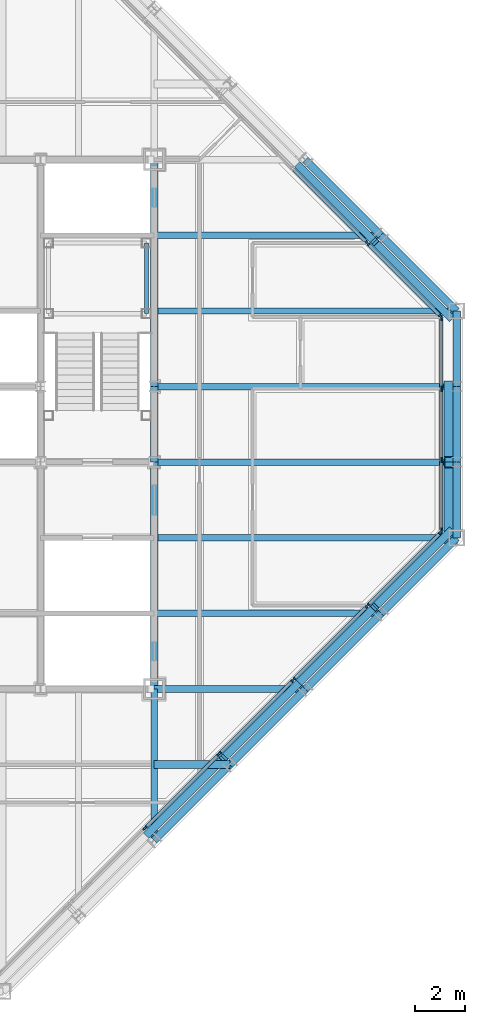
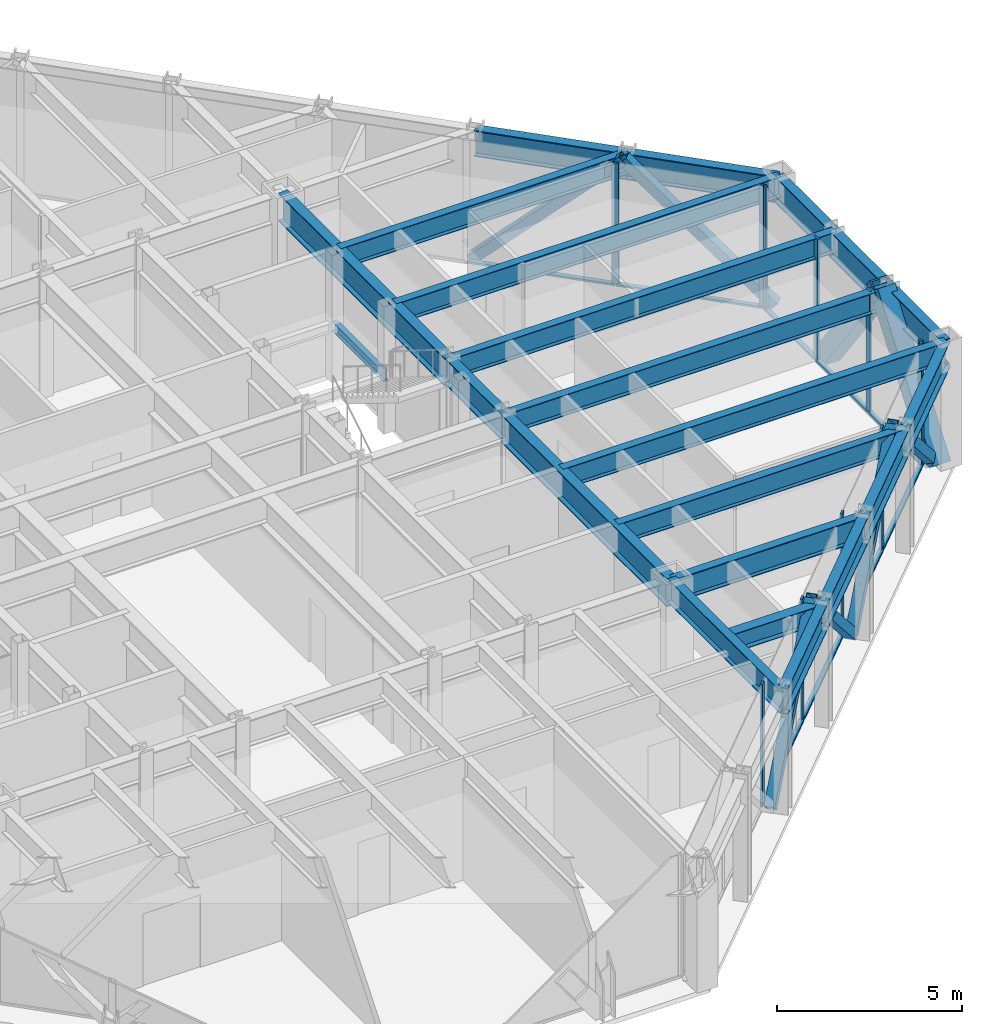
# One storey, part 7 of 15: 28 members, 22 beams, 3 elements without a shape of their own.
"""IFC4 building model written with IfcOpenShell, lengths in metres."""

from ifc_helpers import new_model, si_unit, direction, frame, origin, origin_2d, place, context, subcontext, project, spatial, rectangle, hollow_rectangle, i_section, extrude, material, layer, layer_set, material_profile, profile_set, type_object, element, aggregate, save


model = new_model("IFC4")

# Units and contexts
model_context = context("Model", 3, precision=1e-05, world=origin(), true_north=direction((0.0, 1.0)))
body_context = subcontext(model_context, "Body", "Model", "MODEL_VIEW")
ifc_project = project(units=[si_unit("LENGTHUNIT", "METRE"), si_unit("AREAUNIT", "SQUARE_METRE"), si_unit("VOLUMEUNIT", "CUBIC_METRE"), si_unit("PLANEANGLEUNIT", "RADIAN"), si_unit("MASSUNIT", "GRAM", prefix="KILO")], contexts=[model_context])

# Site, building, storey
site_placement = place(None, origin())
site = spatial("IfcSite", under=ifc_project, at=site_placement, CompositionType="ELEMENT")
building_placement = place(site_placement, origin())
building = spatial("IfcBuilding", under=site, at=building_placement, Name="Chuquiago Exchange Tower", CompositionType="ELEMENT")
storey_placement = place(building_placement, frame((0.0, 0.0, 287.39990234375)))
storey = spatial("IfcBuildingStorey", under=building, at=storey_placement, Name="L64", CompositionType="ELEMENT", Elevation=287.39990234375)

# Beams
ifc_material_1 = material(Name="Steel ASTM A992", Category="steel")
ifc_material_profile_1 = material_profile(ifc_material_1, i_section(OverallWidth=0.25390625, OverallDepth=0.683349609375, WebThickness=0.012451171875, FlangeThickness=0.018798828125, at=origin_2d()), Name="W27X94")
ifc_profile_set_1 = profile_set([ifc_material_profile_1], Name="Steel ASTM A992")
beam_type_1 = type_object("IfcBeamType", Name="B1 W27X94", PredefinedType="BEAM", material=ifc_profile_set_1)
beam_1_placement = place(storey_placement, frame((33.0, 15.0, 3.698486328125), z_axis=(1.0, 0.0, 0.0), x_axis=(0.0, 1.0, 0.0)))
element("IfcBeam", 1, at=beam_1_placement, inside=storey, type_object=beam_type_1, Name="FB-L65-infill-33_15-42_15-0", PredefinedType="BEAM", context=body_context, shape_type="SweptSolid", body=[
    extrude(i_section(OverallWidth=0.25390625, OverallDepth=0.683349609375, WebThickness=0.012451171875, FlangeThickness=0.018798828125, at=origin_2d()), origin(), (0.0, 0.0, 1.0), 9.0),
])
for number, where, z_axis, x_axis, name in (
    (2, (33.0, 18.0, 3.698486328125), (1.0, 0.0, 0.0), (0.0, 1.0, 0.0), "FB-L65-infill-33_18-45_18-0"),
    (3, (33.0, 21.0, 3.698486328125), (1.0, 0.0, 0.0), (0.0, 1.0, 0.0), "FB-L65-infill-33_21-45_21-0"),
    (4, (33.0, 24.0, 3.698486328125), (1.0, 0.0, 0.0), (0.0, 1.0, 0.0), "FB-L65-infill-33_24-45_24-0"),
    (5, (33.0, 27.0, 3.698486328125), (1.0, 0.0, 0.0), (0.0, 1.0, 0.0), "FB-L65-infill-33_27-45_27-0"),
):
    element("IfcBeam", number, at=place(storey_placement, frame(where, z_axis=z_axis, x_axis=x_axis)), inside=storey, type_object=beam_type_1, Name=name, PredefinedType="BEAM", context=body_context, shape_type="SweptSolid", body=[
        extrude(i_section(OverallWidth=0.25390625, OverallDepth=0.683349609375, WebThickness=0.012451171875, FlangeThickness=0.018798828125, at=origin_2d()), origin(), (0.0, 0.0, 1.0), 12.0),
    ])
beam_2_placement = place(storey_placement, frame((33.0, 30.0, 3.698486328125), z_axis=(1.0, 0.0, 0.0), x_axis=(0.0, 1.0, 0.0)))
element("IfcBeam", 6, at=beam_2_placement, inside=storey, type_object=beam_type_1, Name="FB-L65-infill-33_30-42_30-0", PredefinedType="BEAM", context=body_context, shape_type="SweptSolid", body=[
    extrude(i_section(OverallWidth=0.25390625, OverallDepth=0.683349609375, WebThickness=0.012451171875, FlangeThickness=0.018798828125, at=origin_2d()), origin(), (0.0, 0.0, 1.0), 9.0),
])
ifc_material_2 = material(Name="Steel ASTM A992", Category="steel")
ifc_material_profile_2 = material_profile(ifc_material_2, i_section(OverallWidth=0.307373046875, OverallDepth=0.927001953125, WebThickness=0.01953125, FlangeThickness=0.031982421875, at=origin_2d()), Name="W36X194")
ifc_profile_set_2 = profile_set([ifc_material_profile_2], Name="Steel ASTM A992")
beam_type_2 = type_object("IfcBeamType", Name="B10 W36X194", PredefinedType="BEAM", material=ifc_profile_set_2)
for number, where, z_axis, x_axis, name in (
    (7, (33.0, 12.0, 3.576416015625), (0.0, 1.0, 0.0), (-1.0, 0.0, 0.0), "CB-L65-33_12-33_21"),
    (8, (33.0, 24.0, 3.576416015625), (0.0, 1.0, 0.0), (-1.0, 0.0, 0.0), "CB-L65-33_24-33_33"),
):
    element("IfcBeam", number, at=place(storey_placement, frame(where, z_axis=z_axis, x_axis=x_axis)), inside=storey, type_object=beam_type_2, Name=name, PredefinedType="BEAM", context=body_context, shape_type="SweptSolid", body=[
        extrude(i_section(OverallWidth=0.307373046875, OverallDepth=0.927001953125, WebThickness=0.01953125, FlangeThickness=0.031982421875, at=origin_2d()), origin(), (0.0, 0.0, 1.0), 9.0),
    ])
ifc_material_3 = material(Name="Steel ASTM A992", Category="steel")
ifc_material_profile_3 = material_profile(ifc_material_3, i_section(OverallWidth=0.3251953125, OverallDepth=0.612060546875, WebThickness=0.0126953125, FlangeThickness=0.01904296875, at=origin_2d()), Name="W24X104")
ifc_profile_set_3 = profile_set([ifc_material_profile_3], Name="Steel ASTM A992")
beam_type_3 = type_object("IfcBeamType", Name="B2 W24X104", PredefinedType="BEAM", material=ifc_profile_set_3)
beam_3_placement = place(storey_placement, frame((33.0, 9.0, 3.73388671875), z_axis=(1.0, 0.0, 0.0), x_axis=(0.0, 1.0, 0.0)))
element("IfcBeam", 9, at=beam_3_placement, inside=storey, type_object=beam_type_3, Name="FB-L65-corner-33_9-36_9-0", PredefinedType="BEAM", context=body_context, shape_type="SweptSolid", body=[
    extrude(i_section(OverallWidth=0.3251953125, OverallDepth=0.612060546875, WebThickness=0.0126953125, FlangeThickness=0.01904296875, at=origin_2d()), origin(), (0.0, 0.0, 1.0), 3.0),
])
ifc_material_4 = material(Name="Steel ASTM A992", Category="steel")
ifc_material_profile_4 = material_profile(ifc_material_4, i_section(OverallWidth=0.2919921875, OverallDepth=0.8583984375, WebThickness=0.01708984375, FlangeThickness=0.031005859375, at=origin_2d()), Name="W33X169")
ifc_profile_set_4 = profile_set([ifc_material_profile_4], Name="Steel ASTM A992")
beam_type_4 = type_object("IfcBeamType", Name="B3 W33X169", PredefinedType="BEAM", material=ifc_profile_set_4)
beam_4_placement = place(storey_placement, frame((33.0, 21.0, 3.61083984375), z_axis=(0.0, 1.0, 0.0), x_axis=(-1.0, 0.0, 0.0)))
element("IfcBeam", 10, at=beam_4_placement, inside=storey, type_object=beam_type_4, Name="CB-L65-33_21-33_24", PredefinedType="BEAM", context=body_context, shape_type="SweptSolid", body=[
    extrude(i_section(OverallWidth=0.2919921875, OverallDepth=0.8583984375, WebThickness=0.01708984375, FlangeThickness=0.031005859375, at=origin_2d()), origin(), (0.0, 0.0, 1.0), 3.0),
])

# Curtain wall, members
ifc_material_5 = material(Name="Aluminium curtain wall system", Category="aluminium")
ifc_layer_1 = layer(ifc_material_5, 0.22509765625)
ifc_layer_set_1 = layer_set([ifc_layer_1], Name="CW2 office curtain wall")
curtain_wall_type_1 = type_object("IfcCurtainWallType", Name="CW2 office curtain wall", PredefinedType="NOTDEFINED", material=ifc_layer_set_1)
curtain_wall_1_placement = place(storey_placement, origin())
curtain_wall_1 = element("IfcCurtainWall", 11, at=curtain_wall_1_placement, inside=storey, type_object=curtain_wall_type_1, Name="CW2 curtain wall L64", PredefinedType="NOTDEFINED")
ifc_material_6 = material(Name="Aluminium mullion, pale anodised", Category="aluminium")
ifc_material_profile_5 = material_profile(ifc_material_6, rectangle(XDim=0.06494140625, YDim=0.22509765625, at=origin_2d()), Name="AL 65x225")
ifc_profile_set_5 = profile_set([ifc_material_profile_5], Name="Aluminium mullion, pale anodised")
member_type_1 = type_object("IfcMemberType", Name="CW2-M mullion 65x225", PredefinedType="MULLION", material=ifc_profile_set_5)
member_1_placement = place(storey_placement, frame((44.39990234375, 18.281005859375, 0.0), z_axis=(0.0, 0.0, 1.0), x_axis=(-1.0, 0.0, 0.0)))
member_1 = element("IfcMember", 12, at=member_1_placement, type_object=member_type_1, Name="CW2 mullion 1", PredefinedType="MULLION", context=body_context, shape_type="SweptSolid", body=[
    extrude(rectangle(XDim=0.06494140625, YDim=0.22509765625, at=origin_2d()), origin(), (0.0, 0.0, 1.0), 4.0400390625),
])
member_2_placement = place(storey_placement, frame((44.39990234375, 21.082763671875, 0.0), z_axis=(0.0, 0.0, 1.0), x_axis=(-1.0, 0.0, 0.0)))
member_2 = element("IfcMember", 13, at=member_2_placement, type_object=member_type_1, Name="CW2 mullion 2", PredefinedType="MULLION", context=body_context, shape_type="SweptSolid", body=[
    extrude(rectangle(XDim=0.06494140625, YDim=0.22509765625, at=origin_2d()), origin(), (0.0, 0.0, 1.0), 4.0400390625),
])
member_3_placement = place(storey_placement, frame((44.39990234375, 23.917236328125, 0.0), z_axis=(0.0, 0.0, 1.0), x_axis=(-1.0, 0.0, 0.0)))
member_3 = element("IfcMember", 14, at=member_3_placement, type_object=member_type_1, Name="CW2 mullion 3", PredefinedType="MULLION", context=body_context, shape_type="SweptSolid", body=[
    extrude(rectangle(XDim=0.06494140625, YDim=0.22509765625, at=origin_2d()), origin(), (0.0, 0.0, 1.0), 4.0400390625),
])
member_4_placement = place(storey_placement, frame((44.39990234375, 26.718994140625, 0.0), z_axis=(0.0, 0.0, 1.0), x_axis=(-1.0, 0.0, 0.0)))
member_4 = element("IfcMember", 15, at=member_4_placement, type_object=member_type_1, Name="CW2 mullion 4", PredefinedType="MULLION", context=body_context, shape_type="SweptSolid", body=[
    extrude(rectangle(XDim=0.06494140625, YDim=0.22509765625, at=origin_2d()), origin(), (0.0, 0.0, 1.0), 4.0400390625),
])
ifc_material_7 = material(Name="Aluminium transom, pale anodised", Category="aluminium")
ifc_material_profile_6 = material_profile(ifc_material_7, rectangle(XDim=0.139892578125, YDim=0.06494140625, at=origin_2d()), Name="AL 140x65")
ifc_profile_set_6 = profile_set([ifc_material_profile_6], Name="Aluminium transom, pale anodised")
member_type_2 = type_object("IfcMemberType", Name="CW2-T transom 65x140", PredefinedType="MULLION", material=ifc_profile_set_6)
member_5_placement = place(storey_placement, frame((44.39990234375, 18.3134765625, 0.03271484375), z_axis=(0.0, 1.0, 0.0), x_axis=(-1.0, 0.0, 0.0)))
member_5 = element("IfcMember", 16, at=member_5_placement, type_object=member_type_2, Name="CW2 transom 1.1", PredefinedType="MULLION", context=body_context, shape_type="SweptSolid", body=[
    extrude(rectangle(XDim=0.139892578125, YDim=0.06494140625, at=origin_2d()), origin(), (0.0, 0.0, 1.0), 2.73681640625),
])
member_6_placement = place(storey_placement, frame((44.39990234375, 21.115234375, 0.03271484375), z_axis=(0.0, 1.0, 0.0), x_axis=(-1.0, 0.0, 0.0)))
member_6 = element("IfcMember", 17, at=member_6_placement, type_object=member_type_2, Name="CW2 transom 2.1", PredefinedType="MULLION", context=body_context, shape_type="SweptSolid", body=[
    extrude(rectangle(XDim=0.139892578125, YDim=0.06494140625, at=origin_2d()), origin(), (0.0, 0.0, 1.0), 2.76953125),
])
member_7_placement = place(storey_placement, frame((44.39990234375, 23.94970703125, 0.03271484375), z_axis=(0.0, 1.0, 0.0), x_axis=(-1.0, 0.0, 0.0)))
member_7 = element("IfcMember", 18, at=member_7_placement, type_object=member_type_2, Name="CW2 transom 3.1", PredefinedType="MULLION", context=body_context, shape_type="SweptSolid", body=[
    extrude(rectangle(XDim=0.139892578125, YDim=0.06494140625, at=origin_2d()), origin(), (0.0, 0.0, 1.0), 2.73681640625),
])
aggregate(curtain_wall_1, [member_1, member_2, member_3, member_4, member_5, member_6, member_7])

ifc_material_8 = material(Name="Aluminium curtain wall system", Category="aluminium")
ifc_layer_2 = layer(ifc_material_8, 0.199951171875)
ifc_layer_set_2 = layer_set([ifc_layer_2], Name="CW3 facet curtain wall")
curtain_wall_type_2 = type_object("IfcCurtainWallType", Name="CW3 facet curtain wall", PredefinedType="NOTDEFINED", material=ifc_layer_set_2)
curtain_wall_2_placement = place(storey_placement, origin())
curtain_wall_2 = element("IfcCurtainWall", 19, at=curtain_wall_2_placement, inside=storey, type_object=curtain_wall_type_2, Name="CW3 curtain wall L64", PredefinedType="NOTDEFINED")
ifc_material_9 = material(Name="Aluminium mullion, pale anodised", Category="aluminium")
ifc_material_profile_7 = material_profile(ifc_material_9, rectangle(XDim=0.06494140625, YDim=0.199951171875, at=origin_2d()), Name="AL 65x200")
ifc_profile_set_7 = profile_set([ifc_material_profile_7], Name="Aluminium mullion, pale anodised")
member_type_3 = type_object("IfcMemberType", Name="CW3-M mullion 65x200", PredefinedType="MULLION", material=ifc_profile_set_7)
member_8_placement = place(storey_placement, frame((32.63427734375, 6.48291015625, 0.0), z_axis=(0.0, 0.0, 1.0), x_axis=(-0.707106781187, 0.707106781187, 0.0)))
member_8 = element("IfcMember", 20, at=member_8_placement, type_object=member_type_3, Name="CW3 mullion 3", PredefinedType="MULLION", context=body_context, shape_type="SweptSolid", body=[
    extrude(rectangle(XDim=0.06494140625, YDim=0.199951171875, at=origin_2d()), origin(), (0.0, 0.0, 1.0), 4.0400390625),
])
member_9_placement = place(storey_placement, frame((35.57568359375, 9.42431640625, 0.0), z_axis=(0.0, 0.0, 1.0), x_axis=(-0.707106781187, 0.707106781187, 0.0)))
member_9 = element("IfcMember", 21, at=member_9_placement, type_object=member_type_3, Name="CW3 mullion 4", PredefinedType="MULLION", context=body_context, shape_type="SweptSolid", body=[
    extrude(rectangle(XDim=0.06494140625, YDim=0.199951171875, at=origin_2d()), origin(), (0.0, 0.0, 1.0), 4.0400390625),
])
member_10_placement = place(storey_placement, frame((38.51708984375, 12.36572265625, 0.0), z_axis=(0.0, 0.0, 1.0), x_axis=(-0.707106781187, 0.707106781187, 0.0)))
member_10 = element("IfcMember", 22, at=member_10_placement, type_object=member_type_3, Name="CW3 mullion 5", PredefinedType="MULLION", context=body_context, shape_type="SweptSolid", body=[
    extrude(rectangle(XDim=0.06494140625, YDim=0.199951171875, at=origin_2d()), origin(), (0.0, 0.0, 1.0), 4.0400390625),
])
member_11_placement = place(storey_placement, frame((41.45849609375, 15.30712890625, 0.0), z_axis=(0.0, 0.0, 1.0), x_axis=(-0.707106781187, 0.707106781187, 0.0)))
member_11 = element("IfcMember", 23, at=member_11_placement, type_object=member_type_3, Name="CW3 mullion 6", PredefinedType="MULLION", context=body_context, shape_type="SweptSolid", body=[
    extrude(rectangle(XDim=0.06494140625, YDim=0.199951171875, at=origin_2d()), origin(), (0.0, 0.0, 1.0), 4.0400390625),
])
member_12_placement = place(storey_placement, frame((44.376953125, 18.2255859375, 0.0), z_axis=(0.0, 0.0, 1.0), x_axis=(-0.707106781187, 0.707106781187, 0.0)))
member_12 = element("IfcMember", 24, at=member_12_placement, type_object=member_type_3, Name="CW3 mullion 7", PredefinedType="MULLION", context=body_context, shape_type="SweptSolid", body=[
    extrude(rectangle(XDim=0.06494140625, YDim=0.199951171875, at=origin_2d()), origin(), (0.0, 0.0, 1.0), 4.0400390625),
])

curtain_wall_3_placement = place(storey_placement, origin())
curtain_wall_3 = element("IfcCurtainWall", 25, at=curtain_wall_3_placement, inside=storey, type_object=curtain_wall_type_2, Name="CW3 curtain wall L64", PredefinedType="NOTDEFINED")
member_13_placement = place(storey_placement, frame((44.376953125, 26.7744140625, 0.0), z_axis=(0.0, 0.0, 1.0), x_axis=(-0.707106781187, -0.707106781187, 0.0)))
member_13 = element("IfcMember", 26, at=member_13_placement, type_object=member_type_3, Name="CW3 mullion 1", PredefinedType="MULLION", context=body_context, shape_type="SweptSolid", body=[
    extrude(rectangle(XDim=0.06494140625, YDim=0.199951171875, at=origin_2d()), origin(), (0.0, 0.0, 1.0), 4.0400390625),
])
member_14_placement = place(storey_placement, frame((41.45849609375, 29.69287109375, 0.0), z_axis=(0.0, 0.0, 1.0), x_axis=(-0.707106781187, -0.707106781187, 0.0)))
member_14 = element("IfcMember", 27, at=member_14_placement, type_object=member_type_3, Name="CW3 mullion 2", PredefinedType="MULLION", context=body_context, shape_type="SweptSolid", body=[
    extrude(rectangle(XDim=0.06494140625, YDim=0.199951171875, at=origin_2d()), origin(), (0.0, 0.0, 1.0), 4.0400390625),
])

# Member
ifc_material_10 = material(Name="Aluminium transom, pale anodised", Category="aluminium")
ifc_material_profile_8 = material_profile(ifc_material_10, rectangle(XDim=0.139892578125, YDim=0.06494140625, at=origin_2d()), Name="AL 140x65")
ifc_profile_set_8 = profile_set([ifc_material_profile_8], Name="Aluminium transom, pale anodised")
member_type_4 = type_object("IfcMemberType", Name="CW3-T transom 65x140", PredefinedType="MULLION", material=ifc_profile_set_8)
member_15_placement = place(storey_placement, frame((32.6572265625, 6.505859375, 0.03271484375), z_axis=(0.707106781187, 0.707106781187, 0.0), x_axis=(-0.707106781187, 0.707106781187, 0.0)))
member_15 = element("IfcMember", 28, at=member_15_placement, type_object=member_type_4, Name="CW3 transom 3.1", PredefinedType="MULLION", context=body_context, shape_type="SweptSolid", body=[
    extrude(rectangle(XDim=0.139892578125, YDim=0.06494140625, at=origin_2d()), origin(), (0.0, 0.0, 1.0), 4.094970703125),
])

member_16_placement = place(storey_placement, frame((35.5986328125, 9.447265625, 0.03271484375), z_axis=(0.707106781187, 0.707106781187, 0.0), x_axis=(-0.707106781187, 0.707106781187, 0.0)))
member_16 = element("IfcMember", 29, at=member_16_placement, type_object=member_type_4, Name="CW3 transom 4.1", PredefinedType="MULLION", context=body_context, shape_type="SweptSolid", body=[
    extrude(rectangle(XDim=0.139892578125, YDim=0.06494140625, at=origin_2d()), origin(), (0.0, 0.0, 1.0), 4.094970703125),
])

member_17_placement = place(storey_placement, frame((38.5400390625, 12.388671875, 0.03271484375), z_axis=(0.707106781187, 0.707106781187, 0.0), x_axis=(-0.707106781187, 0.707106781187, 0.0)))
member_17 = element("IfcMember", 30, at=member_17_placement, type_object=member_type_4, Name="CW3 transom 5.1", PredefinedType="MULLION", context=body_context, shape_type="SweptSolid", body=[
    extrude(rectangle(XDim=0.139892578125, YDim=0.06494140625, at=origin_2d()), origin(), (0.0, 0.0, 1.0), 4.094970703125),
])

member_18_placement = place(storey_placement, frame((41.4814453125, 15.330078125, 0.03271484375), z_axis=(0.707106781187, 0.707106781187, 0.0), x_axis=(-0.707106781187, 0.707106781187, 0.0)))
member_18 = element("IfcMember", 31, at=member_18_placement, type_object=member_type_4, Name="CW3 transom 6.1", PredefinedType="MULLION", context=body_context, shape_type="SweptSolid", body=[
    extrude(rectangle(XDim=0.139892578125, YDim=0.06494140625, at=origin_2d()), origin(), (0.0, 0.0, 1.0), 4.0625),
])

aggregate(curtain_wall_2, [member_8, member_9, member_10, member_11, member_12, member_15, member_16, member_17, member_18])

member_19_placement = place(storey_placement, frame((44.35400390625, 26.79736328125, 0.03271484375), z_axis=(-0.707106781187, 0.707106781187, 0.0), x_axis=(-0.707106781187, -0.707106781187, 0.0)))
member_19 = element("IfcMember", 32, at=member_19_placement, type_object=member_type_4, Name="CW3 transom 1.1", PredefinedType="MULLION", context=body_context, shape_type="SweptSolid", body=[
    extrude(rectangle(XDim=0.139892578125, YDim=0.06494140625, at=origin_2d()), origin(), (0.0, 0.0, 1.0), 4.0625),
])

member_20_placement = place(storey_placement, frame((41.435546875, 29.7158203125, 0.03271484375), z_axis=(-0.707106781187, 0.707106781187, 0.0), x_axis=(-0.707106781187, -0.707106781187, 0.0)))
member_20 = element("IfcMember", 33, at=member_20_placement, type_object=member_type_4, Name="CW3 transom 2.1", PredefinedType="MULLION", context=body_context, shape_type="SweptSolid", body=[
    extrude(rectangle(XDim=0.139892578125, YDim=0.06494140625, at=origin_2d()), origin(), (0.0, 0.0, 1.0), 4.094970703125),
])

aggregate(curtain_wall_3, [member_13, member_14, member_19, member_20])

# Beams
ifc_material_11 = material(Name="Steel ASTM A992", Category="steel")
ifc_material_profile_9 = material_profile(ifc_material_11, i_section(OverallWidth=0.2666015625, OverallDepth=0.76953125, WebThickness=0.015625, FlangeThickness=0.025390625, at=origin_2d()), Name="W30X132")
ifc_profile_set_9 = profile_set([ifc_material_profile_9], Name="Steel ASTM A992")
beam_type_5 = type_object("IfcBeamType", Name="G1 W30X132", PredefinedType="BEAM", material=ifc_profile_set_9)
for number, where, z_axis, x_axis, name in (
    (34, (33.0, 12.0, 3.6552734375), (0.0, -1.0, 0.0), (1.0, 0.0, 0.0), "FB-L65-girder-33_12-33_6-0"),
    (35, (33.0, 12.0, 3.6552734375), (1.0, 0.0, 0.0), (0.0, 1.0, 0.0), "FB-L65-girder-33_12-39_12-0"),
):
    element("IfcBeam", number, at=place(storey_placement, frame(where, z_axis=z_axis, x_axis=x_axis)), inside=storey, type_object=beam_type_5, Name=name, PredefinedType="BEAM", context=body_context, shape_type="SweptSolid", body=[
        extrude(i_section(OverallWidth=0.2666015625, OverallDepth=0.76953125, WebThickness=0.015625, FlangeThickness=0.025390625, at=origin_2d()), origin(), (0.0, 0.0, 1.0), 6.0),
    ])

# Members
ifc_material_12 = material(Name="Steel ASTM A500 Grade C", Category="steel")
ifc_material_profile_10 = material_profile(ifc_material_12, hollow_rectangle(XDim=0.3046875, YDim=0.3046875, WallThickness=0.0146484375, at=origin_2d()), Name="HSS12X12X5/8")
ifc_profile_set_10 = profile_set([ifc_material_profile_10], Name="Steel ASTM A500 Grade C")
member_type_5 = type_object("IfcMemberType", Name="LB3 HSS12X12X5/8", PredefinedType="BRACE", material=ifc_profile_set_10)
for number, where, z_axis, x_axis, name in (
    (36, (32.750732421875, 6.249267578125, 0.0), (0.512077265487, 0.512077265487, 0.689604051861), (-0.707106781187, 0.707106781187, 0.0), "LB-L64-33_6-36_9"),
    (37, (38.750732421875, 12.249267578125, 0.0), (-0.512077265487, -0.512077265487, 0.689604051861), (0.707106781187, -0.707106781187, 0.0), "LB-L64-36_9-39_12"),
    (38, (38.750732421875, 12.249267578125, 0.0), (0.512077265487, 0.512077265487, 0.689604051861), (-0.707106781187, 0.707106781187, 0.0), "LB-L64-39_12-42_15"),
    (39, (44.750732421875, 18.249267578125, 0.0), (-0.512077265487, -0.512077265487, 0.689604051861), (0.707106781187, -0.707106781187, 0.0), "LB-L64-42_15-45_18"),
    (40, (44.750732421875, 26.750732421875, 0.0), (-0.512077265487, 0.512077265487, 0.689604051861), (-0.707106781187, -0.707106781187, 0.0), "LB-L64-45_27-42_30"),
    (41, (38.750732421875, 32.750732421875, 0.0), (0.512077265487, -0.512077265487, 0.689604051861), (0.707106781187, 0.707106781187, 0.0), "LB-L64-42_30-39_33"),
):
    element("IfcMember", number, at=place(storey_placement, frame(where, z_axis=z_axis, x_axis=x_axis)), inside=storey, type_object=member_type_5, Name=name, PredefinedType="BRACE", context=body_context, shape_type="SweptSolid", body=[
        extrude(hollow_rectangle(XDim=0.3046875, YDim=0.3046875, WallThickness=0.0146484375, at=origin_2d()), origin(), (0.0, 0.0, 1.0), 5.8583984375),
    ])

# Beam
ifc_material_13 = material(Name="Steel ASTM A992", Category="steel")
ifc_material_profile_11 = material_profile(ifc_material_13, i_section(OverallWidth=0.164794921875, OverallDepth=0.309814453125, WebThickness=0.005859375, FlangeThickness=0.009765625, at=origin_2d()), Name="W12X26")
ifc_profile_set_11 = profile_set([ifc_material_profile_11], Name="Steel ASTM A992")
beam_type_6 = type_object("IfcBeamType", Name="LS1 W12X26", PredefinedType="BEAM", material=ifc_profile_set_11)
beam_5_placement = place(storey_placement, frame((32.68994140625, 26.889892578125, 1.7451171875), z_axis=(0.0, 1.0, 0.0), x_axis=(-1.0, 0.0, 0.0)))
element("IfcBeam", 42, at=beam_5_placement, inside=storey, type_object=beam_type_6, Name="Stair ST2 L64 landing 1 stringer", PredefinedType="BEAM", context=body_context, shape_type="SweptSolid", body=[
    extrude(i_section(OverallWidth=0.164794921875, OverallDepth=0.309814453125, WebThickness=0.005859375, FlangeThickness=0.009765625, at=origin_2d()), origin(), (0.0, 0.0, 1.0), 2.800048828125),
])

# Members
ifc_material_14 = material(Name="Steel ASTM A572 Grade 50", Category="steel")
ifc_material_profile_12 = material_profile(ifc_material_14, hollow_rectangle(XDim=0.550048828125, YDim=0.550048828125, WallThickness=0.044921875, at=origin_2d()), Name="BOX550X550X45")
ifc_profile_set_12 = profile_set([ifc_material_profile_12], Name="Steel ASTM A572 Grade 50")
member_type_6 = type_object("IfcMemberType", Name="MB4 BOX550X550X45", PredefinedType="BRACE", material=ifc_profile_set_12)
for number, where, z_axis, x_axis, name in (
    (43, (44.77001953125, 18.0, 0.0), (0.0, 0.596173923302, 0.802855312728), (-1.0, 0.0, 0.0), "Mega diagonal L64 E face"),
    (44, (44.77001953125, 24.0, 0.0), (0.0, -0.596173923302, 0.802855312728), (1.0, 0.0, 0.0), "Mega diagonal L64 E face"),
):
    element("IfcMember", number, at=place(storey_placement, frame(where, z_axis=z_axis, x_axis=x_axis)), inside=storey, type_object=member_type_6, Name=name, PredefinedType="BRACE", context=body_context, shape_type="SweptSolid", body=[
        extrude(hollow_rectangle(XDim=0.550048828125, YDim=0.550048828125, WallThickness=0.044921875, at=origin_2d()), origin(), (0.0, 0.0, 1.0), 5.031982421875),
    ])

# Beams
ifc_material_15 = material(Name="Steel ASTM A992", Category="steel")
ifc_material_profile_13 = material_profile(ifc_material_15, i_section(OverallWidth=0.2919921875, OverallDepth=0.8583984375, WebThickness=0.01708984375, FlangeThickness=0.031005859375, at=origin_2d()), Name="W33X169")
ifc_profile_set_13 = profile_set([ifc_material_profile_13], Name="Steel ASTM A992")
beam_type_7 = type_object("IfcBeamType", Name="SP4 W33X169", PredefinedType="SPANDREL", material=ifc_profile_set_13)
for number, where, z_axis, x_axis, name in (
    (45, (33.0, 6.0, 3.61083984375), (0.707106781187, 0.707106781187, 0.0), (-0.707106781187, 0.707106781187, 0.0), "SPB-L65-33_6-36_9"),
    (46, (36.0, 9.0, 3.61083984375), (0.707106781187, 0.707106781187, 0.0), (-0.707106781187, 0.707106781187, 0.0), "SPB-L65-36_9-39_12"),
    (47, (39.0, 12.0, 3.61083984375), (0.707106781187, 0.707106781187, 0.0), (-0.707106781187, 0.707106781187, 0.0), "SPB-L65-39_12-42_15"),
    (48, (42.0, 15.0, 3.61083984375), (0.707106781187, 0.707106781187, 0.0), (-0.707106781187, 0.707106781187, 0.0), "SPB-L65-42_15-45_18"),
):
    element("IfcBeam", number, at=place(storey_placement, frame(where, z_axis=z_axis, x_axis=x_axis)), inside=storey, type_object=beam_type_7, Name=name, PredefinedType="SPANDREL", context=body_context, shape_type="SweptSolid", body=[
        extrude(i_section(OverallWidth=0.2919921875, OverallDepth=0.8583984375, WebThickness=0.01708984375, FlangeThickness=0.031005859375, at=origin_2d()), origin(), (0.0, 0.0, 1.0), 4.24267578125),
    ])
for number, where, z_axis, x_axis, name in (
    (49, (45.0, 18.0, 3.61083984375), (0.0, 1.0, 0.0), (-1.0, 0.0, 0.0), "SPB-L65-45_18-45_21"),
    (50, (45.0, 21.0, 3.61083984375), (0.0, 1.0, 0.0), (-1.0, 0.0, 0.0), "SPB-L65-45_21-45_24"),
    (51, (45.0, 24.0, 3.61083984375), (0.0, 1.0, 0.0), (-1.0, 0.0, 0.0), "SPB-L65-45_24-45_27"),
):
    element("IfcBeam", number, at=place(storey_placement, frame(where, z_axis=z_axis, x_axis=x_axis)), inside=storey, type_object=beam_type_7, Name=name, PredefinedType="SPANDREL", context=body_context, shape_type="SweptSolid", body=[
        extrude(i_section(OverallWidth=0.2919921875, OverallDepth=0.8583984375, WebThickness=0.01708984375, FlangeThickness=0.031005859375, at=origin_2d()), origin(), (0.0, 0.0, 1.0), 3.0),
    ])
for number, where, z_axis, x_axis, name in (
    (52, (45.0, 27.0, 3.61083984375), (-0.707106781187, 0.707106781187, 0.0), (-0.707106781187, -0.707106781187, 0.0), "SPB-L65-45_27-42_30"),
    (53, (42.0, 30.0, 3.61083984375), (-0.707106781187, 0.707106781187, 0.0), (-0.707106781187, -0.707106781187, 0.0), "SPB-L65-42_30-39_33"),
):
    element("IfcBeam", number, at=place(storey_placement, frame(where, z_axis=z_axis, x_axis=x_axis)), inside=storey, type_object=beam_type_7, Name=name, PredefinedType="SPANDREL", context=body_context, shape_type="SweptSolid", body=[
        extrude(i_section(OverallWidth=0.2919921875, OverallDepth=0.8583984375, WebThickness=0.01708984375, FlangeThickness=0.031005859375, at=origin_2d()), origin(), (0.0, 0.0, 1.0), 4.24267578125),
    ])

save(model, "model.ifc")
